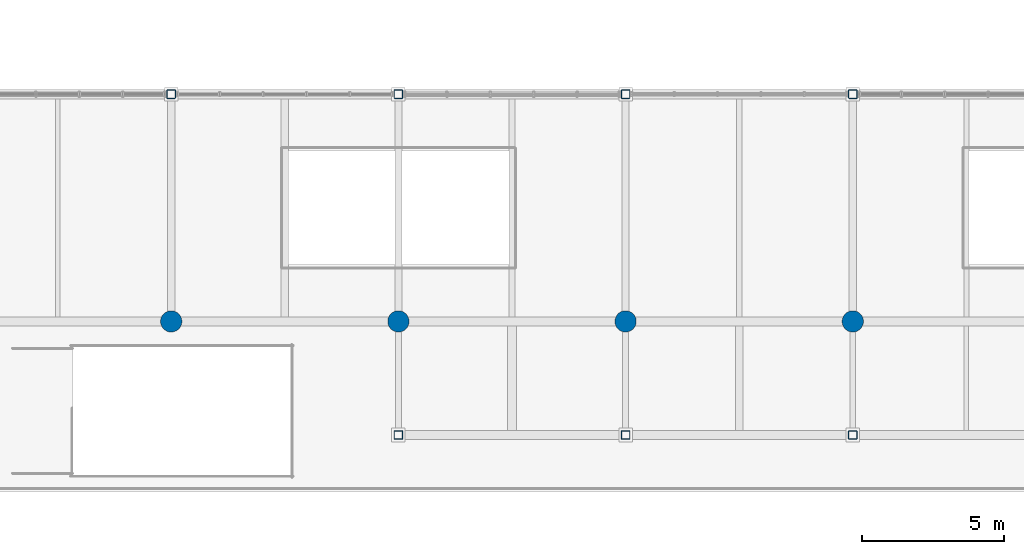
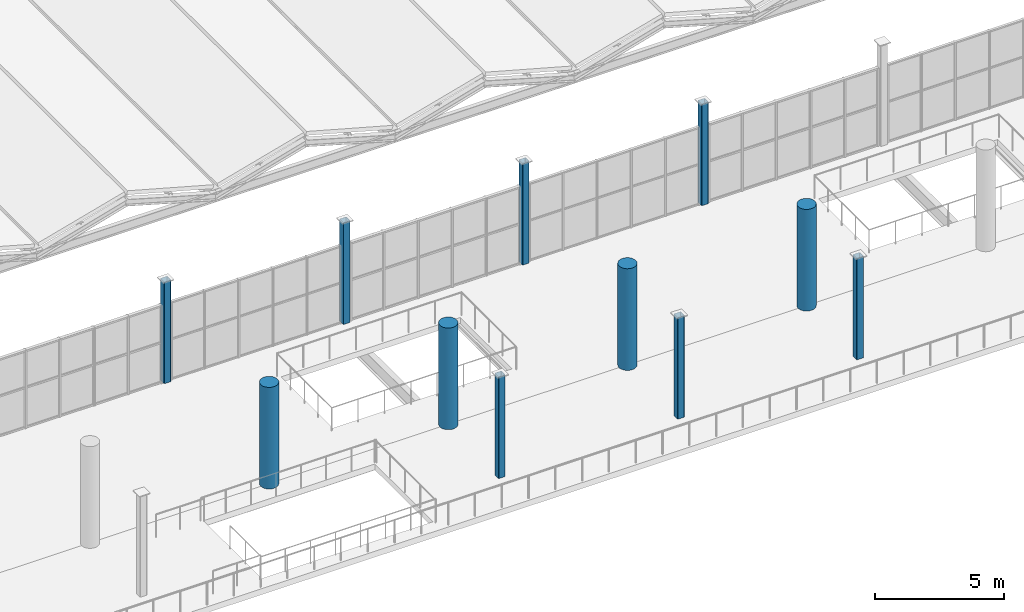
# One storey, part 7 of 114: 11 columns.
"""IFC4 building model written with IfcOpenShell, lengths in metres."""

from ifc_helpers import new_model, si_unit, direction, frame, origin, origin_2d, place, context, subcontext, project, spatial, hollow_rectangle, circle, extrude, material, material_profile, profile_set, type_object, element, save


model = new_model("IFC4")

# Units and contexts
model_context = context("Model", 3, precision=1e-05, world=origin(), true_north=direction((0.0, 1.0)))
body_context = subcontext(model_context, "Body", "Model", "MODEL_VIEW")
ifc_project = project(units=[si_unit("LENGTHUNIT", "METRE"), si_unit("AREAUNIT", "SQUARE_METRE"), si_unit("VOLUMEUNIT", "CUBIC_METRE"), si_unit("PLANEANGLEUNIT", "RADIAN"), si_unit("MASSUNIT", "GRAM", prefix="KILO")], contexts=[model_context])

# Site, building, storey
site_placement = place(None, origin())
site = spatial("IfcSite", under=ifc_project, at=site_placement, CompositionType="ELEMENT")
building_placement = place(site_placement, origin())
building = spatial("IfcBuilding", under=site, at=building_placement, Name="Verrall Gate Interchange", CompositionType="ELEMENT")
storey_placement = place(building_placement, frame((0.0, 0.0, 6.60009765625)))
storey = spatial("IfcBuildingStorey", under=building, at=storey_placement, Name="L02", CompositionType="ELEMENT", Elevation=6.60009765625)

# Columns
ifc_material_1 = material(Name="Concrete CSA A23.1 40 MPa (Class N)", Category="concrete")
ifc_material_profile_1 = material_profile(ifc_material_1, circle(Radius=0.375, at=origin_2d()), Name="RC750D")
ifc_profile_set_1 = profile_set([ifc_material_profile_1], Name="Concrete CSA A23.1 40 MPa (Class N)")
column_type_1 = type_object("IfcColumnType", Name="C-07 Column RC750D", PredefinedType="COLUMN", material=ifc_profile_set_1)
for number, where, z_axis, x_axis, name in (
    (1, (68.0, 48.0, 0.0), (0.0, 0.0, 1.0), (1.0, 0.0, 0.0), "L02 Column COL-L02-0965 (C-07)"),
    (2, (76.0, 48.0, 0.0), (0.0, 0.0, 1.0), (1.0, 0.0, 0.0), "L02 Column COL-L02-1003 (C-07)"),
    (3, (84.0, 48.0, 0.0), (0.0, 0.0, 1.0), (1.0, 0.0, 0.0), "L02 Column COL-L02-1041 (C-07)"),
    (4, (92.0, 48.0, 0.0), (0.0, 0.0, 1.0), (1.0, 0.0, 0.0), "L02 Column COL-L02-1077 (C-07)"),
):
    element("IfcColumn", number, at=place(storey_placement, frame(where, z_axis=z_axis, x_axis=x_axis)), inside=storey, type_object=column_type_1, Name=name, PredefinedType="COLUMN", context=body_context, shape_type="SweptSolid", body=[
        extrude(circle(Radius=0.375, at=origin_2d()), origin(), (0.0, 0.0, 1.0), 4.7998046875),
    ])
ifc_material_2 = material(Name="Structural Steel CSA G40.21 350WT Cat 4", Category="steel")
ifc_material_profile_2 = material_profile(ifc_material_2, hollow_rectangle(XDim=0.304931640625, YDim=0.304931640625, WallThickness=0.0126953125, InnerFilletRadius=0.0126953125, OuterFilletRadius=0.025390625, at=origin_2d()), Name="HSS305x305x13")
ifc_profile_set_2 = profile_set([ifc_material_profile_2], Name="Structural Steel CSA G40.21 350WT Cat 4")
column_type_2 = type_object("IfcColumnType", Name="C-12 Column HSS305x305x13", PredefinedType="COLUMN", material=ifc_profile_set_2)
for number, where, z_axis, x_axis, name in (
    (5, (68.0, 56.0, 0.0), (0.0, 0.0, 1.0), (1.0, 0.0, 0.0), "L02 Column COL-L02-0969 (C-12)"),
    (6, (76.0, 44.0, 0.0), (0.0, 0.0, 1.0), (1.0, 0.0, 0.0), "L02 Column COL-L02-0999 (C-12)"),
    (7, (76.0, 56.0, 0.0), (0.0, 0.0, 1.0), (1.0, 0.0, 0.0), "L02 Column COL-L02-1007 (C-12)"),
    (8, (84.0, 44.0, 0.0), (0.0, 0.0, 1.0), (1.0, 0.0, 0.0), "L02 Column COL-L02-1037 (C-12)"),
    (9, (84.0, 56.0, 0.0), (0.0, 0.0, 1.0), (1.0, 0.0, 0.0), "L02 Column COL-L02-1045 (C-12)"),
    (10, (92.0, 44.0, 0.0), (0.0, 0.0, 1.0), (1.0, 0.0, 0.0), "L02 Column COL-L02-1073 (C-12)"),
    (11, (92.0, 56.0, 0.0), (0.0, 0.0, 1.0), (1.0, 0.0, 0.0), "L02 Column COL-L02-1081 (C-12)"),
):
    element("IfcColumn", number, at=place(storey_placement, frame(where, z_axis=z_axis, x_axis=x_axis)), inside=storey, type_object=column_type_2, Name=name, PredefinedType="COLUMN", context=body_context, shape_type="SweptSolid", body=[
        extrude(hollow_rectangle(XDim=0.304931640625, YDim=0.304931640625, WallThickness=0.0126953125, InnerFilletRadius=0.0126953125, OuterFilletRadius=0.025390625, at=origin_2d()), origin(), (0.0, 0.0, 1.0), 4.7998046875),
    ])

save(model, "model.ifc")
